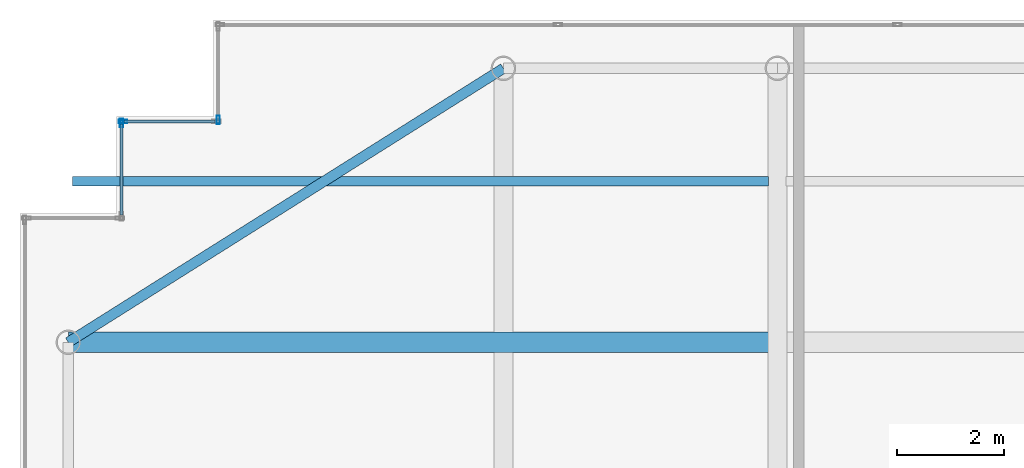
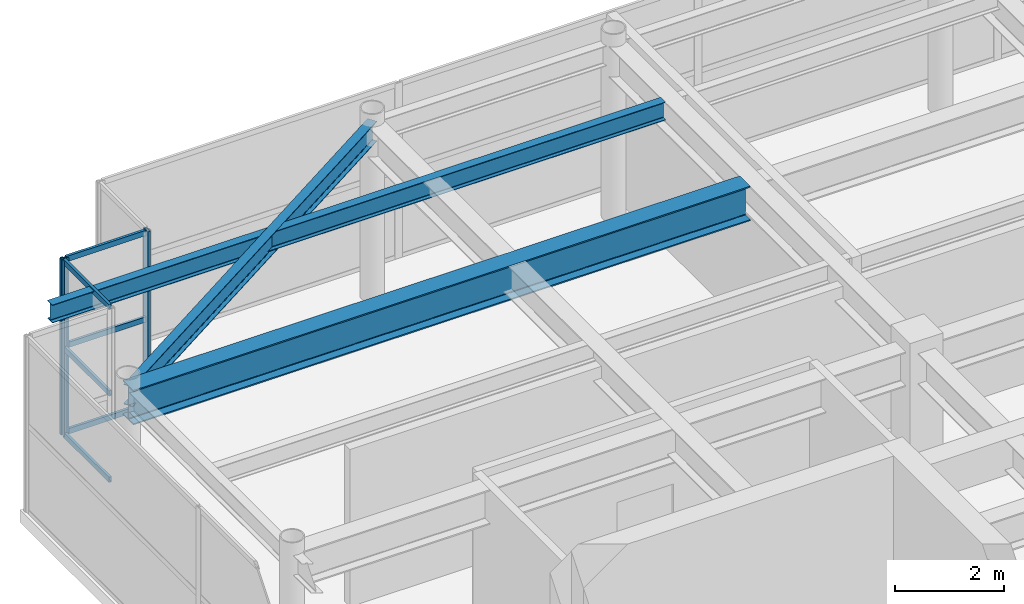
# One storey, part 21 of 33: 9 members, 3 beams, 3 elements without a shape of their own.
"""IFC4 building model written with IfcOpenShell, lengths in metres."""

from ifc_helpers import new_model, si_unit, direction, frame, origin, origin_2d, place, context, subcontext, project, spatial, hollow_rectangle, i_section, extrude, source, transform, mapped, material, layer, layer_set, material_profile, profile_set, type_object, element, aggregate, save


model = new_model("IFC4")

# Units and contexts
model_context = context("Model", 3, precision=1e-05, world=origin(), true_north=direction((0.0, 1.0)))
body_context = subcontext(model_context, "Body", "Model", "MODEL_VIEW")
ifc_project = project(units=[si_unit("LENGTHUNIT", "METRE"), si_unit("AREAUNIT", "SQUARE_METRE"), si_unit("VOLUMEUNIT", "CUBIC_METRE"), si_unit("PLANEANGLEUNIT", "RADIAN"), si_unit("MASSUNIT", "GRAM", prefix="KILO")], contexts=[model_context])

# Site, building, storey
site_placement = place(None, origin())
site = spatial("IfcSite", under=ifc_project, at=site_placement, CompositionType="ELEMENT")
building_placement = place(site_placement, origin())
building = spatial("IfcBuilding", under=site, at=building_placement, Name="Khoralis Quay Care Tower", CompositionType="ELEMENT")
storey_placement = place(building_placement, frame((0.0, 0.0, 302.10009765625)))
storey = spatial("IfcBuildingStorey", under=building, at=storey_placement, Name="L79", CompositionType="ELEMENT", Elevation=302.10009765625)

# Beams
ifc_material_1 = material(Name="Steel S355", Category="steel")
ifc_material_profile_1 = material_profile(ifc_material_1, i_section(OverallWidth=0.18994140625, OverallDepth=0.449951171875, WebThickness=0.009521484375, FlangeThickness=0.0146484375, FilletRadius=0.02099609375, at=origin_2d()), Name="Steel S355")
ifc_profile_set_1 = profile_set([ifc_material_profile_1], Name="Steel S355")
beam_type_1 = type_object("IfcBeamType", Name="BM-IPE450", PredefinedType="SPANDREL", material=ifc_profile_set_1)
shared_shape_1 = source(origin(), body_context, "Body", "SweptSolid", [
    extrude(i_section(OverallWidth=0.18994140625, OverallDepth=0.449951171875, WebThickness=0.009521484375, FlangeThickness=0.0146484375, FilletRadius=0.02099609375, at=origin_2d()), origin(), (0.0, 0.0, 1.0), 9.572021484375),
])
beam_1_placement = place(storey_placement, frame((12.0, 41.10009765625, 3.69482421875), z_axis=(-0.846231136359, -0.532815975602, 0.0), x_axis=(0.532815975602, -0.846231136359, 0.0)))
element("IfcBeam", 1, at=beam_1_placement, inside=storey, type_object=beam_type_1, Name="BM-TCR-L79-19", PredefinedType="SPANDREL", context=body_context, shape_type="MappedRepresentation", body=[
    mapped(shared_shape_1, transform((0.0, 0.0, 0.0), scale=1.0)),
])
ifc_material_profile_2 = material_profile(ifc_material_1, i_section(OverallWidth=0.381103515625, OverallDepth=0.77294921875, WebThickness=0.0166015625, FlangeThickness=0.027587890625, FilletRadius=0.02197265625, at=origin_2d()), Name="Steel S355")
ifc_profile_set_2 = profile_set([ifc_material_profile_2], Name="Steel S355")
beam_type_2 = type_object("IfcBeamType", Name="BM-W760X257", PredefinedType="BEAM", material=ifc_profile_set_2)
shared_shape_2 = source(origin(), body_context, "Body", "SweptSolid", [
    extrude(i_section(OverallWidth=0.381103515625, OverallDepth=0.77294921875, WebThickness=0.0166015625, FlangeThickness=0.027587890625, FilletRadius=0.02197265625, at=origin_2d()), origin(), (0.0, 0.0, 1.0), 13.03466796875),
])
beam_2_placement = place(storey_placement, frame((3.89990234375, 36.0, 3.533447265625), z_axis=(1.0, 0.0, 0.0), x_axis=(0.0, 1.0, 0.0)))
element("IfcBeam", 2, at=beam_2_placement, inside=storey, type_object=beam_type_2, Name="BM-TGXW-L79-360", PredefinedType="BEAM", context=body_context, shape_type="MappedRepresentation", body=[
    mapped(shared_shape_2, transform((0.0, 0.0, 0.0), scale=1.0)),
])
ifc_material_profile_3 = material_profile(ifc_material_1, i_section(OverallWidth=0.177978515625, OverallDepth=0.406982421875, WebThickness=0.0078125, FlangeThickness=0.0126953125, FilletRadius=0.012939453125, at=origin_2d()), Name="Steel S355")
ifc_profile_set_3 = profile_set([ifc_material_profile_3], Name="Steel S355")
beam_type_3 = type_object("IfcBeamType", Name="BM-W410X60", PredefinedType="JOIST", material=ifc_profile_set_3)
shared_shape_3 = source(origin(), body_context, "Body", "SweptSolid", [
    extrude(i_section(OverallWidth=0.177978515625, OverallDepth=0.406982421875, WebThickness=0.0078125, FlangeThickness=0.0126953125, FilletRadius=0.012939453125, at=origin_2d()), origin(), (0.0, 0.0, 1.0), 12.95361328125),
])
beam_3_placement = place(storey_placement, frame((3.98095703125, 39.0, 3.71630859375), z_axis=(1.0, 0.0, 0.0), x_axis=(0.0, 1.0, 0.0)))
element("IfcBeam", 3, at=beam_3_placement, inside=storey, type_object=beam_type_3, Name="BM-TJS-L79-27", PredefinedType="JOIST", context=body_context, shape_type="MappedRepresentation", body=[
    mapped(shared_shape_3, transform((0.0, 0.0, 0.0), scale=1.0)),
])

# Curtain wall, members
ifc_material_2 = material(Name="Pale anodised aluminium", Category="aluminium")
ifc_layer = layer(ifc_material_2, 0.199951171875)
ifc_layer_set = layer_set([ifc_layer], Name="Pale anodised aluminium")
curtain_wall_type = type_object("IfcCurtainWallType", Name="CW-SYS-LANTERN", PredefinedType="NOTDEFINED", material=ifc_layer_set)
curtain_wall_1_placement = place(storey_placement, origin())
curtain_wall_1 = element("IfcCurtainWall", 4, at=curtain_wall_1_placement, inside=storey, type_object=curtain_wall_type, Name="L79 Unitised Curtain Wall CW-LN-L79-13", PredefinedType="NOTDEFINED")
ifc_material_profile_4 = material_profile(ifc_material_2, hollow_rectangle(XDim=0.054931640625, YDim=0.1201171875, WallThickness=0.00390625, at=origin_2d()), Name="Pale anodised aluminium")
ifc_profile_set_4 = profile_set([ifc_material_profile_4], Name="Pale anodised aluminium")
member_type_1 = type_object("IfcMemberType", Name="CW-TRN-120", PredefinedType="USERDEFINED", material=ifc_profile_set_4)
shared_shape_4 = source(origin(), body_context, "Body", "SweptSolid", [
    extrude(hollow_rectangle(XDim=0.054931640625, YDim=0.1201171875, WallThickness=0.00390625, at=origin_2d()), origin(), (0.0, 0.0, 1.0), 1.679931640625),
])
member_1_placement = place(storey_placement, frame((6.6298828125, 40.110107421875, 0.02978515625), z_axis=(-1.0, 0.0, 0.0), x_axis=(0.0, -1.0, 0.0)))
member_1 = element("IfcMember", 5, at=member_1_placement, type_object=member_type_1, Name="CW5 transom 1.1", ObjectType="TRANSOM", PredefinedType="USERDEFINED", context=body_context, shape_type="MappedRepresentation", body=[
    mapped(shared_shape_4, transform((0.0, 0.0, 0.0), scale=1.0)),
])
member_2_placement = place(storey_placement, frame((6.6298828125, 40.110107421875, 1.9599609375), z_axis=(-1.0, 0.0, 0.0), x_axis=(0.0, -1.0, 0.0)))
member_2 = element("IfcMember", 6, at=member_2_placement, type_object=member_type_1, Name="CW5 transom 1.2", ObjectType="TRANSOM", PredefinedType="USERDEFINED", context=body_context, shape_type="MappedRepresentation", body=[
    mapped(shared_shape_4, transform((0.0, 0.0, 0.0), scale=1.0)),
])
member_3_placement = place(storey_placement, frame((6.6298828125, 40.110107421875, 3.889892578125), z_axis=(-1.0, 0.0, 0.0), x_axis=(0.0, -1.0, 0.0)))
member_3 = element("IfcMember", 7, at=member_3_placement, type_object=member_type_1, Name="CW5 transom 1.3", ObjectType="TRANSOM", PredefinedType="USERDEFINED", context=body_context, shape_type="MappedRepresentation", body=[
    mapped(shared_shape_4, transform((0.0, 0.0, 0.0), scale=1.0)),
])

curtain_wall_2_placement = place(storey_placement, origin())
curtain_wall_2 = element("IfcCurtainWall", 8, at=curtain_wall_2_placement, inside=storey, type_object=curtain_wall_type, Name="L79 Unitised Curtain Wall CW-LN-L79-14", PredefinedType="NOTDEFINED")
member_4_placement = place(storey_placement, frame((4.889892578125, 40.050048828125, 0.02978515625), z_axis=(0.0, -1.0, 0.0), x_axis=(1.0, 0.0, 0.0)))
member_4 = element("IfcMember", 9, at=member_4_placement, type_object=member_type_1, Name="CW5 transom 1.1", ObjectType="TRANSOM", PredefinedType="USERDEFINED", context=body_context, shape_type="MappedRepresentation", body=[
    mapped(shared_shape_4, transform((0.0, 0.0, 0.0), scale=1.0)),
])
member_5_placement = place(storey_placement, frame((4.889892578125, 40.050048828125, 1.9599609375), z_axis=(0.0, -1.0, 0.0), x_axis=(1.0, 0.0, 0.0)))
member_5 = element("IfcMember", 10, at=member_5_placement, type_object=member_type_1, Name="CW5 transom 1.2", ObjectType="TRANSOM", PredefinedType="USERDEFINED", context=body_context, shape_type="MappedRepresentation", body=[
    mapped(shared_shape_4, transform((0.0, 0.0, 0.0), scale=1.0)),
])
member_6_placement = place(storey_placement, frame((4.889892578125, 40.050048828125, 3.889892578125), z_axis=(0.0, -1.0, 0.0), x_axis=(1.0, 0.0, 0.0)))
member_6 = element("IfcMember", 11, at=member_6_placement, type_object=member_type_1, Name="CW5 transom 1.3", ObjectType="TRANSOM", PredefinedType="USERDEFINED", context=body_context, shape_type="MappedRepresentation", body=[
    mapped(shared_shape_4, transform((0.0, 0.0, 0.0), scale=1.0)),
])

# Curtain wall, member
curtain_wall_3_placement = place(storey_placement, origin())
curtain_wall_3 = element("IfcCurtainWall", 12, at=curtain_wall_3_placement, inside=storey, type_object=curtain_wall_type, Name="L79 Unitised Curtain Wall CW-LN-L79-12", PredefinedType="NOTDEFINED")
ifc_material_profile_5 = material_profile(ifc_material_2, hollow_rectangle(XDim=0.06005859375, YDim=0.159912109375, WallThickness=0.00390625, at=origin_2d()), Name="Pale anodised aluminium")
ifc_profile_set_5 = profile_set([ifc_material_profile_5], Name="Pale anodised aluminium")
member_type_2 = type_object("IfcMemberType", Name="CW-MUL-160", PredefinedType="MULLION", material=ifc_profile_set_5)
shared_shape_5 = source(origin(), body_context, "Body", "SweptSolid", [
    extrude(hollow_rectangle(XDim=0.06005859375, YDim=0.159912109375, WallThickness=0.00390625, at=origin_2d()), origin(), (0.0, 0.0, 1.0), 3.919921875),
])
member_7_placement = place(storey_placement, frame((6.68994140625, 40.139892578125, 0.0), z_axis=(0.0, 0.0, 1.0), x_axis=(1.0, 0.0, 0.0)))
member_7 = element("IfcMember", 13, at=member_7_placement, type_object=member_type_2, Name="CW5 mullion 2", PredefinedType="MULLION", context=body_context, shape_type="MappedRepresentation", body=[
    mapped(shared_shape_5, transform((0.0, 0.0, 0.0), scale=1.0)),
])
aggregate(curtain_wall_3, [member_7])

# Member
member_8_placement = place(storey_placement, frame((4.919921875, 40.110107421875, 0.0), z_axis=(0.0, 0.0, 1.0), x_axis=(0.0, -1.0, 0.0)))
member_8 = element("IfcMember", 14, at=member_8_placement, type_object=member_type_2, Name="CW5 mullion 2", PredefinedType="MULLION", context=body_context, shape_type="MappedRepresentation", body=[
    mapped(shared_shape_5, transform((0.0, 0.0, 0.0), scale=1.0)),
])

aggregate(curtain_wall_1, [member_8, member_1, member_2, member_3])

member_9_placement = place(storey_placement, frame((4.889892578125, 40.080078125, 0.0), z_axis=(0.0, 0.0, 1.0), x_axis=(1.0, 0.0, 0.0)))
member_9 = element("IfcMember", 15, at=member_9_placement, type_object=member_type_2, Name="CW5 mullion 1", PredefinedType="MULLION", context=body_context, shape_type="MappedRepresentation", body=[
    mapped(shared_shape_5, transform((0.0, 0.0, 0.0), scale=1.0)),
])

aggregate(curtain_wall_2, [member_9, member_4, member_5, member_6])

save(model, "model.ifc")
